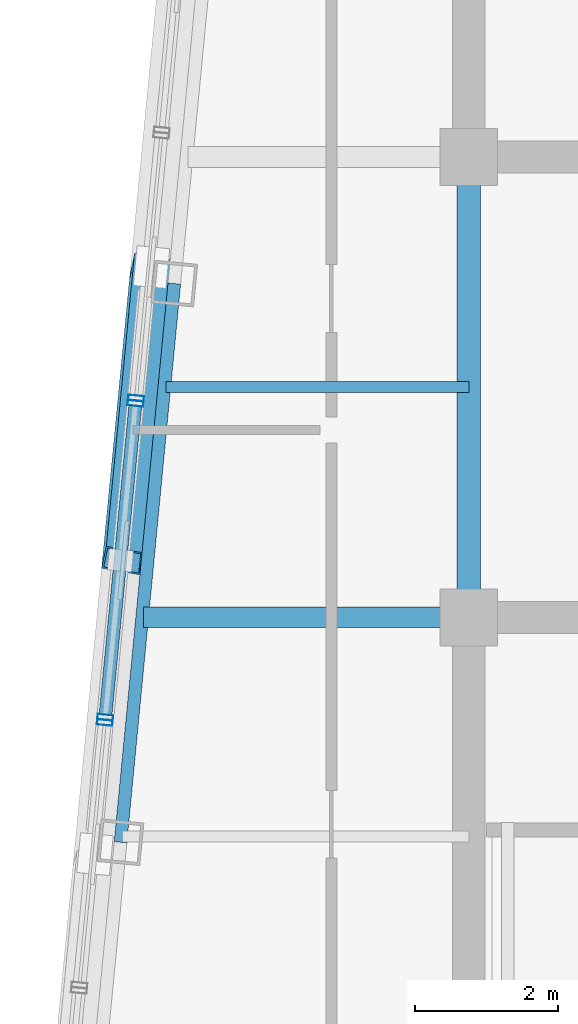
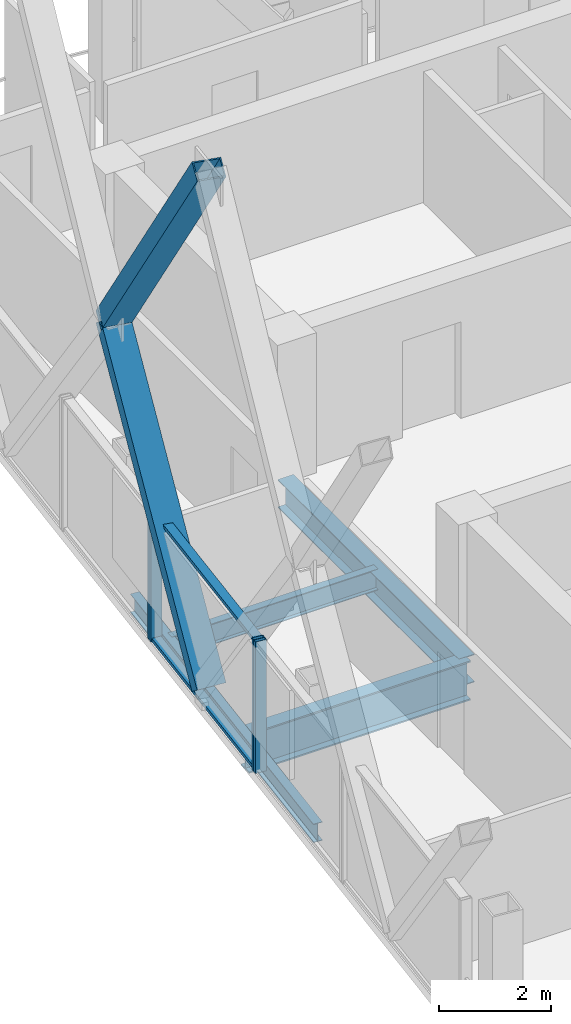
# One storey, part 9 of 25: 8 members, 4 beams, 3 elements without a shape of their own.
"""IFC4 building model written with IfcOpenShell, lengths in metres."""

from ifc_helpers import new_model, si_unit, direction, frame, origin, origin_2d, place, context, subcontext, project, spatial, hollow_rectangle, i_section, extrude, material, layer, layer_set, material_profile, profile_set, type_object, element, aggregate, save


model = new_model("IFC4")

# Units and contexts
model_context = context("Model", 3, precision=1e-05, world=origin(), true_north=direction((0.0, 1.0)))
body_context = subcontext(model_context, "Body", "Model", "MODEL_VIEW")
ifc_project = project(units=[si_unit("LENGTHUNIT", "METRE"), si_unit("AREAUNIT", "SQUARE_METRE"), si_unit("VOLUMEUNIT", "CUBIC_METRE"), si_unit("PLANEANGLEUNIT", "RADIAN"), si_unit("MASSUNIT", "GRAM", prefix="KILO")], contexts=[model_context])

# Site, building, storey
site_placement = place(None, origin())
site = spatial("IfcSite", under=ifc_project, at=site_placement, CompositionType="ELEMENT")
building_placement = place(site_placement, origin())
building = spatial("IfcBuilding", under=site, at=building_placement, Name="Qhalaya Broadcast Tower", CompositionType="ELEMENT")
storey_placement = place(building_placement, frame((0.0, 0.0, 255.050048828125)))
storey = spatial("IfcBuildingStorey", under=building, at=storey_placement, Name="L75", CompositionType="ELEMENT", Elevation=255.050048828125)

# Beams
ifc_material_1 = material(Name="Structural Steel ASTM A992 Grade 50", Category="steel")
ifc_material_profile_1 = material_profile(ifc_material_1, i_section(OverallWidth=0.154052734375, OverallDepth=0.458984375, WebThickness=0.009033203125, FlangeThickness=0.015380859375, at=origin_2d()), Name="W18X46")
ifc_profile_set_1 = profile_set([ifc_material_profile_1], Name="Structural Steel ASTM A992 Grade 50")
beam_type_1 = type_object("IfcBeamType", Name="Composite Floor Joist J04", PredefinedType="JOIST", material=ifc_profile_set_1)
beam_1_placement = place(storey_placement, frame((-13.622314453125, 0.60009765625, -0.41943359375), z_axis=(1.0, 0.0, 0.0), x_axis=(0.0, 1.0, 0.0)))
element("IfcBeam", 1, at=beam_1_placement, inside=storey, type_object=beam_type_1, Name="L75 J04 L75-JWE4W-1", PredefinedType="JOIST", context=body_context, shape_type="SweptSolid", body=[
    extrude(i_section(OverallWidth=0.154052734375, OverallDepth=0.458984375, WebThickness=0.009033203125, FlangeThickness=0.015380859375, at=origin_2d()), origin(), (0.0, 0.0, 1.0), 4.247314453125),
])
ifc_material_profile_2 = material_profile(ifc_material_1, i_section(OverallWidth=0.323974609375, OverallDepth=0.612060546875, WebThickness=0.0126953125, FlangeThickness=0.01904296875, at=origin_2d()), Name="W24X104")
ifc_profile_set_2 = profile_set([ifc_material_profile_2], Name="Structural Steel ASTM A992 Grade 50")
beam_type_2 = type_object("IfcBeamType", Name="Core Frame Tie Beam B04", PredefinedType="BEAM", material=ifc_profile_set_2)
beam_2_placement = place(storey_placement, frame((-9.375, -2.625, -0.49609375), z_axis=(0.0, 1.0, 0.0), x_axis=(-1.0, 0.0, 0.0)))
element("IfcBeam", 2, at=beam_2_placement, inside=storey, type_object=beam_type_2, Name="L75 B04 L75-CCW", PredefinedType="BEAM", context=body_context, shape_type="SweptSolid", body=[
    extrude(i_section(OverallWidth=0.323974609375, OverallDepth=0.612060546875, WebThickness=0.0126953125, FlangeThickness=0.01904296875, at=origin_2d()), origin(), (0.0, 0.0, 1.0), 6.449951171875),
])

# Members
ifc_material_2 = material(Name="Structural Steel ASTM A572 Grade 50", Category="steel")
ifc_material_profile_3 = material_profile(ifc_material_2, hollow_rectangle(XDim=0.3798828125, YDim=0.550048828125, WallThickness=0.02490234375, at=origin_2d()), Name="BOX 380x550x25")
ifc_profile_set_3 = profile_set([ifc_material_profile_3], Name="Structural Steel ASTM A572 Grade 50")
member_type_1 = type_object("IfcMemberType", Name="Exoskeleton Diamond Diagonal Upper EX4", PredefinedType="BRACE", material=ifc_profile_set_3)
member_1_placement = place(storey_placement, frame((-14.218017578125, -1.830078125, 0.35986328125), z_axis=(0.058301925892, 0.605362942159, 0.793811434597), x_axis=(-0.171153078973, -0.777329359739, 0.60536409709)))
element("IfcMember", 3, at=member_1_placement, inside=storey, type_object=member_type_1, Name="B6 Exoskeleton Diamond Brace W2-D1", PredefinedType="BRACE", context=body_context, shape_type="SweptSolid", body=[
    extrude(hollow_rectangle(XDim=0.3798828125, YDim=0.550048828125, WallThickness=0.02490234375, at=origin_2d()), origin(), (0.0, 0.0, 1.0), 6.79638671875),
])
member_2_placement = place(storey_placement, frame((-13.82177734375, 2.2841796875, 5.7548828125), z_axis=(-0.055161336321, -0.572753444041, 0.817869622443), x_axis=(0.17344881055, 0.801166493771, 0.572754536758)))
element("IfcMember", 4, at=member_2_placement, inside=storey, type_object=member_type_1, Name="B6 Exoskeleton Diamond Brace W2-D3", PredefinedType="BRACE", context=body_context, shape_type="SweptSolid", body=[
    extrude(hollow_rectangle(XDim=0.3798828125, YDim=0.550048828125, WallThickness=0.02490234375, at=origin_2d()), origin(), (0.0, 0.0, 1.0), 7.183349609375),
])

# Curtain wall, member
ifc_material_3 = material(Name="Solar-Control Low-E Triple Glazing", Category="glass")
ifc_layer_1 = layer(ifc_material_3, 0.219970703125, Name="Solar-Control Low-E Triple Glazing")
ifc_layer_set_1 = layer_set([ifc_layer_1], Name="Solar-Control Low-E Triple Glazing")
curtain_wall_type_1 = type_object("IfcCurtainWallType", Name="High-Altitude Upper-Shaft Triple Low-E Curtain Wall CW-04", PredefinedType="NOTDEFINED", material=ifc_layer_set_1)
curtain_wall_1_placement = place(storey_placement, origin())
curtain_wall_1 = element("IfcCurtainWall", 5, at=curtain_wall_1_placement, inside=storey, type_object=curtain_wall_type_1, Name="L75 Unitised Curtain Wall L75-CW-W2", PredefinedType="NOTDEFINED")
ifc_material_4 = material(Name="Anodised Aluminium 6063-T6", Category="aluminium")
ifc_material_profile_4 = material_profile(ifc_material_4, hollow_rectangle(XDim=0.074951171875, YDim=0.219970703125, WallThickness=0.00390625, at=origin_2d()), Name="ALU-MUL 75x220x4")
ifc_profile_set_4 = profile_set([ifc_material_profile_4], Name="Anodised Aluminium 6063-T6")
member_type_2 = type_object("IfcMemberType", Name="Unitised Curtain-Wall Mullion M01", PredefinedType="MULLION", material=ifc_profile_set_4)
member_3_placement = place(storey_placement, frame((-14.038818359375, 0.44775390625, 0.0), z_axis=(0.0, 0.0, 1.0), x_axis=(-0.095839673292, -0.995396783712, 0.0)))
member_3 = element("IfcMember", 6, at=member_3_placement, type_object=member_type_2, Name="CW-04 mullion 2", PredefinedType="MULLION", context=body_context, shape_type="SweptSolid", body=[
    extrude(hollow_rectangle(XDim=0.074951171875, YDim=0.219970703125, WallThickness=0.00390625, at=origin_2d()), origin(), (0.0, 0.0, 1.0), 2.85986328125),
])
aggregate(curtain_wall_1, [member_3])

# Curtain wall, members
ifc_material_5 = material(Name="Fired Architectural Terracotta", Category="masonry")
ifc_layer_2 = layer(ifc_material_5, 0.219970703125, Name="Fired Architectural Terracotta")
ifc_layer_set_2 = layer_set([ifc_layer_2], Name="Fired Architectural Terracotta")
curtain_wall_type_2 = type_object("IfcCurtainWallType", Name="Block-Cap Unitised Terracotta Spandrel Wall CW-07", PredefinedType="NOTDEFINED", material=ifc_layer_set_2)
curtain_wall_2_placement = place(storey_placement, origin())
curtain_wall_2 = element("IfcCurtainWall", 7, at=curtain_wall_2_placement, inside=storey, type_object=curtain_wall_type_2, Name="L75 Unitised Curtain Wall L75-CW-W3", PredefinedType="NOTDEFINED")
member_4_placement = place(storey_placement, frame((-14.0458984375, 0.373046875, 0.0), z_axis=(0.0, 0.0, 1.0), x_axis=(-0.09586123001, -0.995394707933, 0.0)))
member_4 = element("IfcMember", 8, at=member_4_placement, type_object=member_type_2, Name="CW-07 mullion 1", PredefinedType="MULLION", context=body_context, shape_type="SweptSolid", body=[
    extrude(hollow_rectangle(XDim=0.074951171875, YDim=0.219970703125, WallThickness=0.00390625, at=origin_2d()), origin(), (0.0, 0.0, 1.0), 2.85986328125),
])
member_5_placement = place(storey_placement, frame((-14.469482421875, -4.025634765625, 0.0), z_axis=(0.0, 0.0, 1.0), x_axis=(-0.09586123001, -0.995394707933, 0.0)))
member_5 = element("IfcMember", 9, at=member_5_placement, type_object=member_type_2, Name="CW-07 mullion 2", PredefinedType="MULLION", context=body_context, shape_type="SweptSolid", body=[
    extrude(hollow_rectangle(XDim=0.074951171875, YDim=0.219970703125, WallThickness=0.00390625, at=origin_2d()), origin(), (0.0, 0.0, 1.0), 2.85986328125),
])

# Curtain wall, member
curtain_wall_3_placement = place(storey_placement, origin())
curtain_wall_3 = element("IfcCurtainWall", 10, at=curtain_wall_3_placement, inside=storey, type_object=curtain_wall_type_1, Name="L75 Unitised Curtain Wall L75-CW-W4", PredefinedType="NOTDEFINED")
member_6_placement = place(storey_placement, frame((-14.476806640625, -4.100341796875, 0.0), z_axis=(0.0, 0.0, 1.0), x_axis=(-0.095839673292, -0.995396783712, 0.0)))
member_6 = element("IfcMember", 11, at=member_6_placement, type_object=member_type_2, Name="CW-04 mullion 1", PredefinedType="MULLION", context=body_context, shape_type="SweptSolid", body=[
    extrude(hollow_rectangle(XDim=0.074951171875, YDim=0.219970703125, WallThickness=0.00390625, at=origin_2d()), origin(), (0.0, 0.0, 1.0), 2.85986328125),
])
aggregate(curtain_wall_3, [member_6])

# Member
ifc_material_profile_5 = material_profile(ifc_material_4, hollow_rectangle(XDim=0.074951171875, YDim=0.179931640625, WallThickness=0.00390625, at=origin_2d()), Name="ALU-TRN 75x180x4")
ifc_profile_set_5 = profile_set([ifc_material_profile_5], Name="Anodised Aluminium 6063-T6")
member_type_3 = type_object("IfcMemberType", Name="Unitised Curtain-Wall Transom T01", PredefinedType="USERDEFINED", material=ifc_profile_set_5)
member_7_placement = place(storey_placement, frame((-14.049560546875, 0.335693359375, 0.037353515625), z_axis=(-0.095824851741, -0.995398210662, 0.0), x_axis=(0.0, 0.0, 1.0)))
member_7 = element("IfcMember", 12, at=member_7_placement, type_object=member_type_3, Name="CW-07 transom 1.1", ObjectType="TRANSOM", PredefinedType="USERDEFINED", context=body_context, shape_type="SweptSolid", body=[
    extrude(hollow_rectangle(XDim=0.074951171875, YDim=0.179931640625, WallThickness=0.00390625, at=origin_2d()), origin(), (0.0, 0.0, 1.0), 4.343994140625),
])

member_8_placement = place(storey_placement, frame((-14.049560546875, 0.335693359375, 2.822509765625), z_axis=(-0.095824851741, -0.995398210662, 0.0), x_axis=(0.0, 0.0, 1.0)))
member_8 = element("IfcMember", 13, at=member_8_placement, type_object=member_type_3, Name="CW-07 transom 1.2", ObjectType="TRANSOM", PredefinedType="USERDEFINED", context=body_context, shape_type="SweptSolid", body=[
    extrude(hollow_rectangle(XDim=0.074951171875, YDim=0.179931640625, WallThickness=0.00390625, at=origin_2d()), origin(), (0.0, 0.0, 1.0), 4.343994140625),
])

aggregate(curtain_wall_2, [member_4, member_5, member_7, member_8])

# Beams
ifc_material_profile_6 = material_profile(ifc_material_1, i_section(OverallWidth=0.2919921875, OverallDepth=0.85888671875, WebThickness=0.01708984375, FlangeThickness=0.031005859375, at=origin_2d()), Name="W33X169")
ifc_profile_set_6 = profile_set([ifc_material_profile_6], Name="Structural Steel ASTM A992 Grade 50")
beam_type_3 = type_object("IfcBeamType", Name="Upper Block Primary Girder PG4", PredefinedType="USERDEFINED", material=ifc_profile_set_6)
beam_3_placement = place(storey_placement, frame((-13.9326171875, -2.625, -0.61962890625), z_axis=(1.0, 0.0, 0.0), x_axis=(0.0, 1.0, 0.0)))
element("IfcBeam", 14, at=beam_3_placement, inside=storey, type_object=beam_type_3, Name="L75 PG4 L75-PGYW2-1", ObjectType="GIRDER", PredefinedType="USERDEFINED", context=body_context, shape_type="SweptSolid", body=[
    extrude(i_section(OverallWidth=0.2919921875, OverallDepth=0.85888671875, WebThickness=0.01708984375, FlangeThickness=0.031005859375, at=origin_2d()), origin(), (0.0, 0.0, 1.0), 4.5576171875),
])
ifc_material_profile_7 = material_profile(ifc_material_1, i_section(OverallWidth=0.177978515625, OverallDepth=0.406005859375, WebThickness=0.0078125, FlangeThickness=0.0126953125, at=origin_2d()), Name="W16X40")
ifc_profile_set_7 = profile_set([ifc_material_profile_7], Name="Structural Steel ASTM A992 Grade 50")
beam_type_4 = type_object("IfcBeamType", Name="Upper Perimeter Spandrel Beam SP2", PredefinedType="SPANDREL", material=ifc_profile_set_7)
beam_4_placement = place(storey_placement, frame((-13.50244140625, 2.052490234375, -0.39306640625), z_axis=(-0.095837184179, -0.995397023367, 0.0), x_axis=(0.995397023367, -0.095837184179, 0.0)))
element("IfcBeam", 15, at=beam_4_placement, inside=storey, type_object=beam_type_4, Name="L75 SP2 L75-SPR-14", PredefinedType="SPANDREL", context=body_context, shape_type="SweptSolid", body=[
    extrude(i_section(OverallWidth=0.177978515625, OverallDepth=0.406005859375, WebThickness=0.0078125, FlangeThickness=0.0126953125, at=origin_2d()), origin(), (0.0, 0.0, 1.0), 7.866455078125),
])

save(model, "model.ifc")
